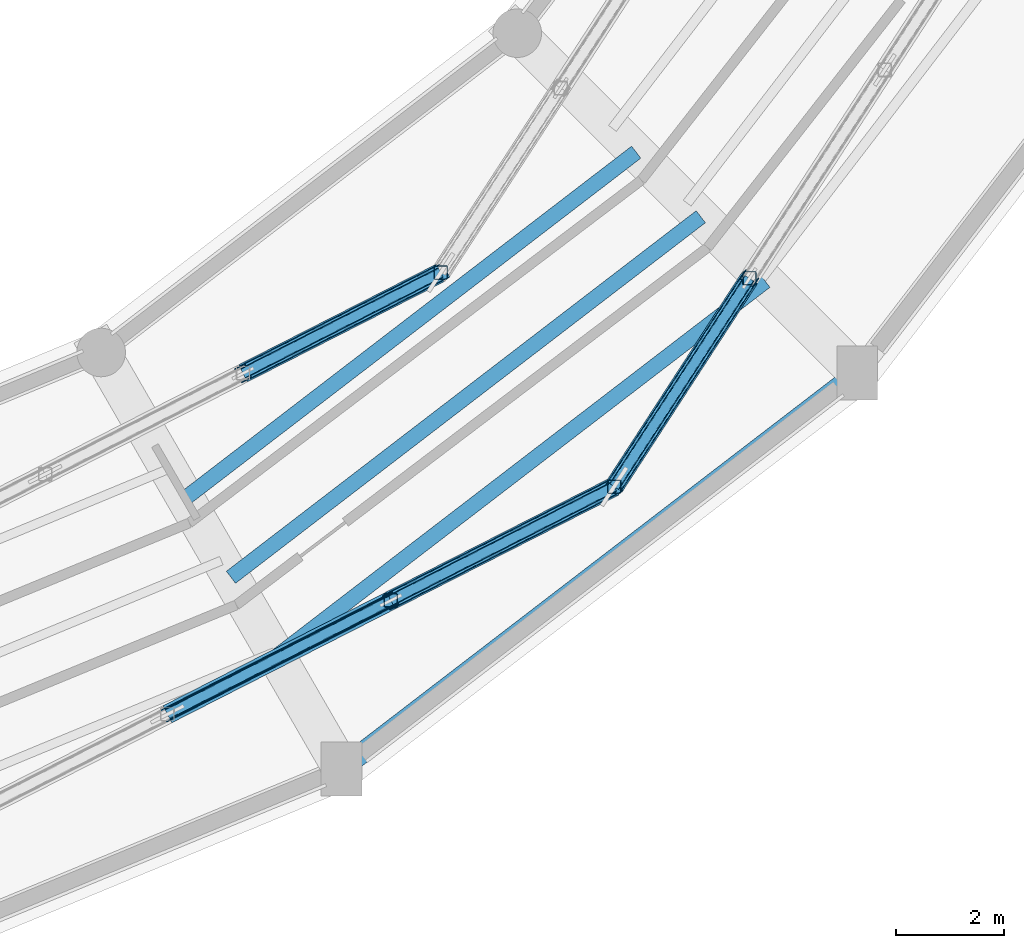
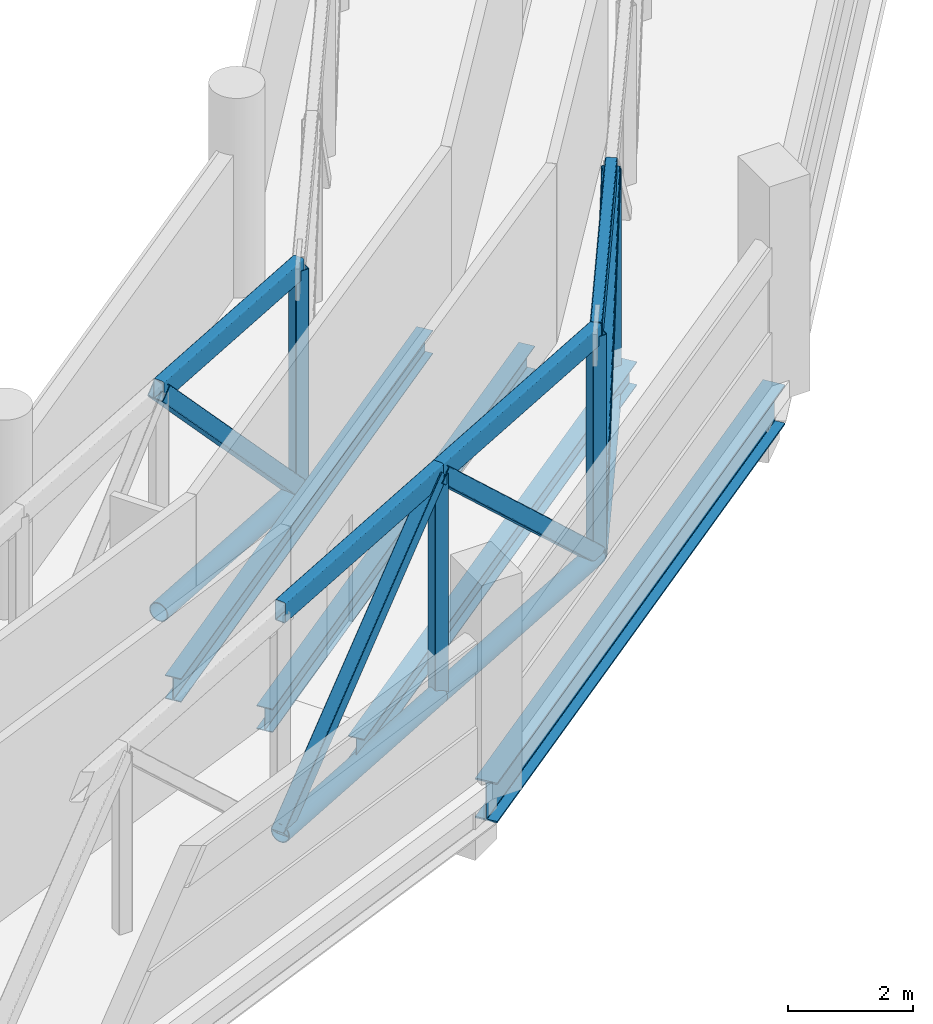
# One storey, part 30 of 121: 16 members, 4 beams.
"""IFC4 building model written with IfcOpenShell, lengths in metres."""

from ifc_helpers import new_model, si_unit, direction, frame, origin, origin_2d, place, context, subcontext, project, spatial, hollow_rectangle, hollow_circle, i_section, extrude, material, material_profile, profile_set, type_object, element, save


model = new_model("IFC4")

# Units and contexts
model_context = context("Model", 3, precision=1e-05, world=origin(), true_north=direction((0.0, 1.0)))
body_context = subcontext(model_context, "Body", "Model", "MODEL_VIEW")
ifc_project = project(units=[si_unit("LENGTHUNIT", "METRE"), si_unit("AREAUNIT", "SQUARE_METRE"), si_unit("VOLUMEUNIT", "CUBIC_METRE"), si_unit("PLANEANGLEUNIT", "RADIAN"), si_unit("MASSUNIT", "GRAM", prefix="KILO")], contexts=[model_context])

# Site, building, storey
site_placement = place(None, origin())
site = spatial("IfcSite", under=ifc_project, at=site_placement, CompositionType="ELEMENT")
building_placement = place(site_placement, origin())
building = spatial("IfcBuilding", under=site, at=building_placement, Name="Vespera Passage Community Centre", CompositionType="ELEMENT")
storey_placement = place(building_placement, frame((0.0, 0.0, 8.699951171875)))
storey = spatial("IfcBuildingStorey", under=building, at=storey_placement, Name="L02", CompositionType="ELEMENT", Elevation=8.699951171875)

# Members
ifc_material_1 = material(Name="Steel ASTM A500 Grade C", Category="steel")
ifc_material_profile_1 = material_profile(ifc_material_1, hollow_circle(Radius=0.177734375, WallThickness=0.014892578125, at=origin_2d()), Name="CHS356X15.9")
ifc_profile_set_1 = profile_set([ifc_material_profile_1], Name="Steel ASTM A500 Grade C")
member_type_1 = type_object("IfcMemberType", Name="BC-356", PredefinedType="CHORD", material=ifc_profile_set_1)
member_1_placement = place(storey_placement, frame((106.09912109375, 30.80029296875, -0.849853515625), z_axis=(0.544615140925, 0.838686084465, 0.0), x_axis=(-0.838686084465, 0.544615140925, 0.0)))
element("IfcMember", 1, at=member_1_placement, inside=storey, type_object=member_type_1, Name="BC-356 Transfer Truss Chord TR1O.1", PredefinedType="CHORD", context=body_context, shape_type="SweptSolid", body=[
    extrude(hollow_circle(Radius=0.177734375, WallThickness=0.014892578125, at=origin_2d()), origin(), (0.0, 0.0, 1.0), 4.599365234375),
])
for number, where, z_axis, x_axis, name in (
    (2, (97.82763671875, 26.5859375, -0.849853515625), (0.891014207289, 0.453975420491, 0.0), (-0.453975420491, 0.891014207289, 0.0), "BC-356 Transfer Truss Chord TR4O.3"),
    (3, (101.96337890625, 28.693115234375, -0.849853515625), (0.891014207289, 0.453975420491, 0.0), (-0.453975420491, 0.891014207289, 0.0), "BC-356 Transfer Truss Chord TR4O.4"),
):
    element("IfcMember", number, at=place(storey_placement, frame(where, z_axis=z_axis, x_axis=x_axis)), inside=storey, type_object=member_type_1, Name=name, PredefinedType="CHORD", context=body_context, shape_type="SweptSolid", body=[
        extrude(hollow_circle(Radius=0.177734375, WallThickness=0.014892578125, at=origin_2d()), origin(), (0.0, 0.0, 1.0), 4.6416015625),
    ])
member_2_placement = place(storey_placement, frame((99.226318359375, 32.897216796875, -0.849853515625), z_axis=(0.890992817467, 0.45401739969, 0.0), x_axis=(-0.45401739969, 0.890992817467, 0.0)))
element("IfcMember", 4, at=member_2_placement, inside=storey, type_object=member_type_1, Name="BC-356 Transfer Truss Chord TR4I.4", PredefinedType="CHORD", context=body_context, shape_type="SweptSolid", body=[
    extrude(hollow_circle(Radius=0.177734375, WallThickness=0.014892578125, at=origin_2d()), origin(), (0.0, 0.0, 1.0), 4.111572265625),
])

# Beams
ifc_material_2 = material(Name="Steel ASTM A992 Grade 50", Category="steel")
ifc_material_profile_2 = material_profile(ifc_material_2, i_section(OverallWidth=0.280517578125, OverallDepth=0.46240234375, WebThickness=0.0107421875, FlangeThickness=0.017333984375, FilletRadius=0.01025390625, at=origin_2d()), Name="W18X76")
ifc_profile_set_2 = profile_set([ifc_material_profile_2], Name="Steel ASTM A992 Grade 50")
beam_type_1 = type_object("IfcBeamType", Name="BM-J-W18X76", PredefinedType="JOIST", material=ifc_profile_set_2)
beam_1_placement = place(storey_placement, frame((98.157470703125, 30.586181640625, -0.571044921875), z_axis=(0.793359871824, 0.608752916854, 0.0), x_axis=(-0.608752916854, 0.793359871824, 0.0)))
element("IfcBeam", 5, at=beam_1_placement, inside=storey, type_object=beam_type_1, Name="V4 L02 Floor Joist 20.1", PredefinedType="JOIST", context=body_context, shape_type="SweptSolid", body=[
    extrude(i_section(OverallWidth=0.280517578125, OverallDepth=0.46240234375, WebThickness=0.0107421875, FlangeThickness=0.017333984375, FilletRadius=0.01025390625, at=origin_2d()), origin(), (0.0, 0.0, 1.0), 10.5244140625),
])
beam_2_placement = place(storey_placement, frame((99.0029296875, 29.12158203125, -0.571044921875), z_axis=(0.793341833785, 0.608776424286, 0.0), x_axis=(-0.608776424286, 0.793341833785, 0.0)))
element("IfcBeam", 6, at=beam_2_placement, inside=storey, type_object=beam_type_1, Name="V4 L02 Floor Joist 20.2", PredefinedType="JOIST", context=body_context, shape_type="SweptSolid", body=[
    extrude(i_section(OverallWidth=0.280517578125, OverallDepth=0.46240234375, WebThickness=0.0107421875, FlangeThickness=0.017333984375, FilletRadius=0.01025390625, at=origin_2d()), origin(), (0.0, 0.0, 1.0), 10.9658203125),
])
beam_3_placement = place(storey_placement, frame((99.848388671875, 27.6572265625, -0.571044921875), z_axis=(0.793353796307, 0.608760834718, 0.0), x_axis=(-0.608760834718, 0.793353796307, 0.0)))
element("IfcBeam", 7, at=beam_3_placement, inside=storey, type_object=beam_type_1, Name="V4 L02 Floor Joist 20.3", PredefinedType="JOIST", context=body_context, shape_type="SweptSolid", body=[
    extrude(i_section(OverallWidth=0.280517578125, OverallDepth=0.46240234375, WebThickness=0.0107421875, FlangeThickness=0.017333984375, FilletRadius=0.01025390625, at=origin_2d()), origin(), (0.0, 0.0, 1.0), 11.4072265625),
])
ifc_material_3 = material(Name="Steel ASTM A992 Grade 50", Category="steel")
ifc_material_profile_3 = material_profile(ifc_material_3, i_section(OverallWidth=0.382080078125, OverallDepth=0.779296875, WebThickness=0.01806640625, FlangeThickness=0.030029296875, FilletRadius=0.0166015625, at=origin_2d()), Name="W30X191")
ifc_profile_set_3 = profile_set([ifc_material_profile_3], Name="Steel ASTM A992 Grade 50")
beam_type_2 = type_object("IfcBeamType", Name="BM-SP-W30X191E", PredefinedType="SPANDREL", material=ifc_profile_set_3)
beam_4_placement = place(storey_placement, frame((101.050048828125, 25.576171875, -0.729736328125), z_axis=(0.793351934501, 0.608763261066, 0.0), x_axis=(-0.608763261066, 0.793351934501, 0.0)))
element("IfcBeam", 8, at=beam_4_placement, inside=storey, type_object=beam_type_2, Name="V4 L02 Outer Spandrel 20", PredefinedType="SPANDREL", context=body_context, shape_type="SweptSolid", body=[
    extrude(i_section(OverallWidth=0.382080078125, OverallDepth=0.779296875, WebThickness=0.01806640625, FlangeThickness=0.030029296875, FilletRadius=0.0166015625, at=origin_2d()), origin(), (0.0, 0.0, 1.0), 12.034423828125),
])

# Members
ifc_material_4 = material(Name="Steel ASTM A500 Grade C", Category="steel")
ifc_material_profile_4 = material_profile(ifc_material_4, hollow_rectangle(XDim=0.203125, YDim=0.406494140625, WallThickness=0.014892578125, InnerFilletRadius=0.014892578125, OuterFilletRadius=0.029541015625, at=origin_2d()), Name="HSS406X203X15.9")
ifc_profile_set_4 = profile_set([ifc_material_profile_4], Name="Steel ASTM A500 Grade C")
member_type_2 = type_object("IfcMemberType", Name="TC-406", PredefinedType="CHORD", material=ifc_profile_set_4)
member_3_placement = place(storey_placement, frame((106.09912109375, 30.80029296875, 3.47998046875), z_axis=(0.544615140925, 0.838686084465, 0.0), x_axis=(-0.838686084465, 0.544615140925, 0.0)))
element("IfcMember", 9, at=member_3_placement, inside=storey, type_object=member_type_2, Name="TC-406 Transfer Truss Chord TR1O.1", PredefinedType="CHORD", context=body_context, shape_type="SweptSolid", body=[
    extrude(hollow_rectangle(XDim=0.203125, YDim=0.406494140625, WallThickness=0.014892578125, InnerFilletRadius=0.014892578125, OuterFilletRadius=0.029541015625, at=origin_2d()), origin(), (0.0, 0.0, 1.0), 4.599365234375),
])
for number, where, z_axis, x_axis, name in (
    (10, (97.82763671875, 26.5859375, 3.47998046875), (0.891014207289, 0.453975420491, 0.0), (-0.453975420491, 0.891014207289, 0.0), "TC-406 Transfer Truss Chord TR4O.3"),
    (11, (101.96337890625, 28.693115234375, 3.47998046875), (0.891014207289, 0.453975420491, 0.0), (-0.453975420491, 0.891014207289, 0.0), "TC-406 Transfer Truss Chord TR4O.4"),
):
    element("IfcMember", number, at=place(storey_placement, frame(where, z_axis=z_axis, x_axis=x_axis)), inside=storey, type_object=member_type_2, Name=name, PredefinedType="CHORD", context=body_context, shape_type="SweptSolid", body=[
        extrude(hollow_rectangle(XDim=0.203125, YDim=0.406494140625, WallThickness=0.014892578125, InnerFilletRadius=0.014892578125, OuterFilletRadius=0.029541015625, at=origin_2d()), origin(), (0.0, 0.0, 1.0), 4.6416015625),
    ])
member_4_placement = place(storey_placement, frame((99.226318359375, 32.897216796875, 3.47998046875), z_axis=(0.890992817467, 0.45401739969, 0.0), x_axis=(-0.45401739969, 0.890992817467, 0.0)))
element("IfcMember", 12, at=member_4_placement, inside=storey, type_object=member_type_2, Name="TC-406 Transfer Truss Chord TR4I.4", PredefinedType="CHORD", context=body_context, shape_type="SweptSolid", body=[
    extrude(hollow_rectangle(XDim=0.203125, YDim=0.406494140625, WallThickness=0.014892578125, InnerFilletRadius=0.014892578125, OuterFilletRadius=0.029541015625, at=origin_2d()), origin(), (0.0, 0.0, 1.0), 4.111572265625),
])
ifc_material_5 = material(Name="Steel ASTM A500 Grade C", Category="steel")
ifc_material_profile_5 = material_profile(ifc_material_5, hollow_rectangle(XDim=0.25390625, YDim=0.25390625, WallThickness=0.01171875, InnerFilletRadius=0.01171875, OuterFilletRadius=0.023681640625, at=origin_2d()), Name="HSS254X254X12.7")
ifc_profile_set_5 = profile_set([ifc_material_profile_5], Name="Steel ASTM A500 Grade C")
member_type_3 = type_object("IfcMemberType", Name="TD-254", PredefinedType="BRACE", material=ifc_profile_set_5)
member_5_placement = place(storey_placement, frame((97.82763671875, 26.5859375, -0.849853515625), z_axis=(0.651544251248, 0.331964488343, 0.682121446038), x_axis=(-0.453975420491, 0.891014207289, 0.0)))
element("IfcMember", 13, at=member_5_placement, inside=storey, type_object=member_type_3, Name="TD-254 Transfer Truss Diagonal TR4O.3", PredefinedType="BRACE", context=body_context, shape_type="SweptSolid", body=[
    extrude(hollow_rectangle(XDim=0.25390625, YDim=0.25390625, WallThickness=0.01171875, InnerFilletRadius=0.01171875, OuterFilletRadius=0.023681640625, at=origin_2d()), origin(), (0.0, 0.0, 1.0), 6.34765625),
])
ifc_material_6 = material(Name="Steel ASTM A500 Grade C", Category="steel")
ifc_material_profile_6 = material_profile(ifc_material_6, hollow_rectangle(XDim=0.3046875, YDim=0.3046875, WallThickness=0.014892578125, InnerFilletRadius=0.014892578125, OuterFilletRadius=0.029541015625, at=origin_2d()), Name="HSS305X305X15.9")
ifc_profile_set_6 = profile_set([ifc_material_profile_6], Name="Steel ASTM A500 Grade C")
member_type_4 = type_object("IfcMemberType", Name="TD-305", PredefinedType="BRACE", material=ifc_profile_set_6)
member_6_placement = place(storey_placement, frame((106.09912109375, 30.80029296875, -0.849853515625), z_axis=(0.396544779728, 0.610663500946, 0.685450455017), x_axis=(-0.838686084465, 0.544615140925, 0.0)))
element("IfcMember", 14, at=member_6_placement, inside=storey, type_object=member_type_4, Name="TD-305 Transfer Truss Diagonal TR1O.1", PredefinedType="BRACE", context=body_context, shape_type="SweptSolid", body=[
    extrude(hollow_rectangle(XDim=0.3046875, YDim=0.3046875, WallThickness=0.014892578125, InnerFilletRadius=0.014892578125, OuterFilletRadius=0.029541015625, at=origin_2d()), origin(), (0.0, 0.0, 1.0), 6.316650390625),
])
member_7_placement = place(storey_placement, frame((101.96337890625, 28.693115234375, 3.47998046875), z_axis=(0.651544251248, 0.331964488343, -0.682121446038), x_axis=(-0.453975420491, 0.891014207289, 0.0)))
element("IfcMember", 15, at=member_7_placement, inside=storey, type_object=member_type_4, Name="TD-305 Transfer Truss Diagonal TR4O.4", PredefinedType="BRACE", context=body_context, shape_type="SweptSolid", body=[
    extrude(hollow_rectangle(XDim=0.3046875, YDim=0.3046875, WallThickness=0.014892578125, InnerFilletRadius=0.014892578125, OuterFilletRadius=0.029541015625, at=origin_2d()), origin(), (0.0, 0.0, 1.0), 6.34765625),
])
member_8_placement = place(storey_placement, frame((99.226318359375, 32.897216796875, 3.47998046875), z_axis=(0.613527463657, 0.312631188745, -0.72515225378), x_axis=(-0.45401739969, 0.890992817467, 0.0)))
element("IfcMember", 16, at=member_8_placement, inside=storey, type_object=member_type_4, Name="TD-305 Transfer Truss Diagonal TR4I.4", PredefinedType="BRACE", context=body_context, shape_type="SweptSolid", body=[
    extrude(hollow_rectangle(XDim=0.3046875, YDim=0.3046875, WallThickness=0.014892578125, InnerFilletRadius=0.014892578125, OuterFilletRadius=0.029541015625, at=origin_2d()), origin(), (0.0, 0.0, 1.0), 5.970947265625),
])
ifc_material_7 = material(Name="Steel ASTM A500 Grade C", Category="steel")
ifc_material_profile_7 = material_profile(ifc_material_7, hollow_rectangle(XDim=0.25390625, YDim=0.25390625, WallThickness=0.01171875, InnerFilletRadius=0.01171875, OuterFilletRadius=0.023681640625, at=origin_2d()), Name="HSS254X254X12.7")
ifc_profile_set_7 = profile_set([ifc_material_profile_7], Name="Steel ASTM A500 Grade C")
member_type_5 = type_object("IfcMemberType", Name="TP-254", PredefinedType="POST", material=ifc_profile_set_7)
for number, where, z_axis, x_axis, name in (
    (17, (106.09912109375, 30.80029296875, -0.849853515625), (0.0, 0.0, 1.0), (1.0, 0.0, 0.0), "Truss TR1O Vertical Post 1"),
    (18, (108.60400390625, 34.65771484375, -0.849853515625), (0.0, 0.0, 1.0), (1.0, 0.0, 0.0), "Truss TR1O Vertical Post 2"),
    (19, (102.8896484375, 34.763916015625, -0.849853515625), (0.0, 0.0, 1.0), (1.0, 0.0, 0.0), "Truss TR1I Vertical Post 1"),
    (20, (101.96337890625, 28.693115234375, -0.849853515625), (0.0, 0.0, 1.0), (1.0, 0.0, 0.0), "Truss TR4O Vertical Post 4"),
):
    element("IfcMember", number, at=place(storey_placement, frame(where, z_axis=z_axis, x_axis=x_axis)), inside=storey, type_object=member_type_5, Name=name, PredefinedType="POST", context=body_context, shape_type="SweptSolid", body=[
        extrude(hollow_rectangle(XDim=0.25390625, YDim=0.25390625, WallThickness=0.01171875, InnerFilletRadius=0.01171875, OuterFilletRadius=0.023681640625, at=origin_2d()), origin(), (0.0, 0.0, 1.0), 4.329833984375),
    ])

save(model, "model.ifc")
